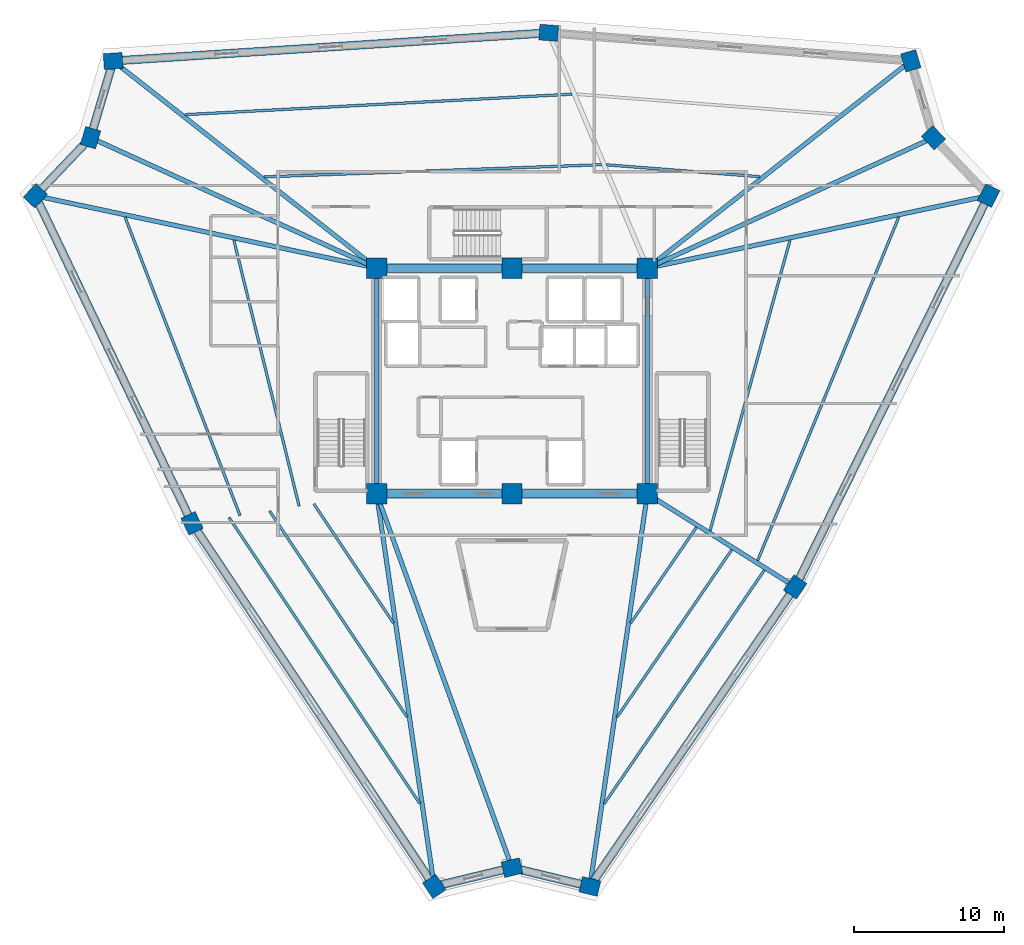
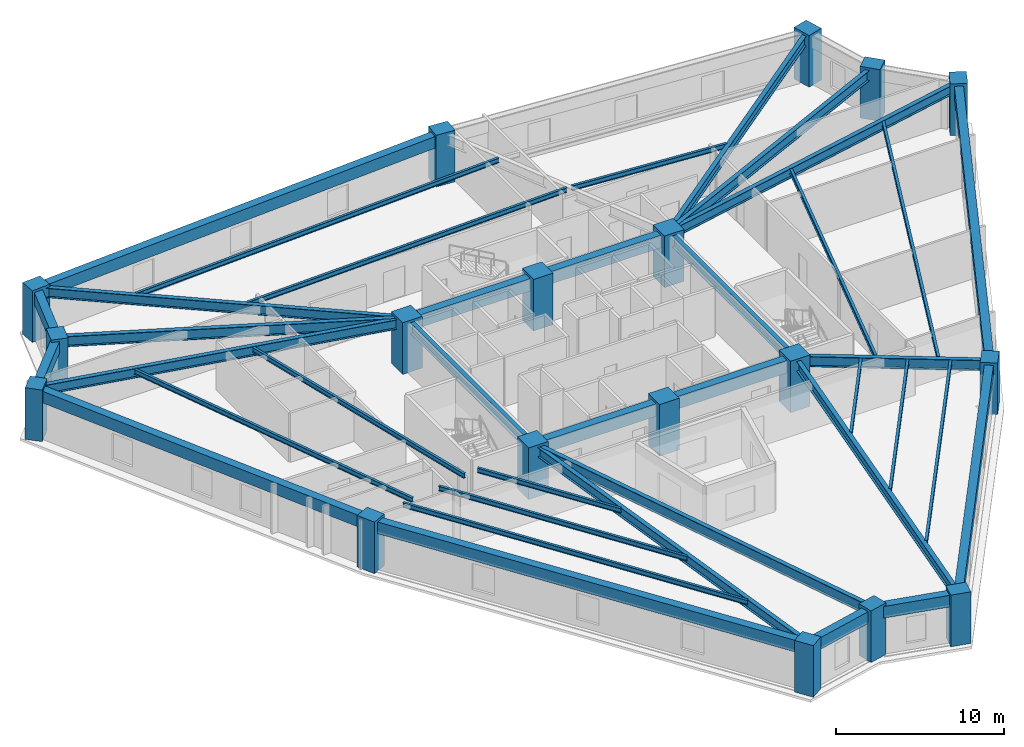
# One storey, part 1 of 9: 38 beams, 18 columns.
"""IFC4 building model written with IfcOpenShell, lengths in metres."""

from ifc_helpers import new_model, si_unit, direction, frame, origin, origin_2d, place, context, subcontext, project, spatial, rectangle, i_section, extrude, source, transform, mapped, material, material_profile, profile_set, type_object, element, save


model = new_model("IFC4")

# Units and contexts
model_context = context("Model", 3, precision=1e-05, world=origin(), true_north=direction((0.0, 1.0)))
body_context = subcontext(model_context, "Body", "Model", "MODEL_VIEW")
ifc_project = project(units=[si_unit("LENGTHUNIT", "METRE"), si_unit("AREAUNIT", "SQUARE_METRE"), si_unit("VOLUMEUNIT", "CUBIC_METRE"), si_unit("PLANEANGLEUNIT", "RADIAN"), si_unit("MASSUNIT", "GRAM", prefix="KILO")], contexts=[model_context])

# Site, building, storey
site_placement = place(None, origin())
site = spatial("IfcSite", under=ifc_project, at=site_placement, CompositionType="ELEMENT")
building_placement = place(site_placement, origin())
building = spatial("IfcBuilding", under=site, at=building_placement, Name="Liaohun Quay Tower", CompositionType="ELEMENT")
storey_placement = place(building_placement, frame((0.0, 0.0, 258.75)))
storey = spatial("IfcBuildingStorey", under=building, at=storey_placement, Name="L67", CompositionType="ELEMENT", Elevation=258.75)

# Columns
ifc_material_1 = material(Name="Concrete C55", Category="concrete")
ifc_material_profile_1 = material_profile(ifc_material_1, rectangle(XDim=1.35009765625, YDim=1.35009765625, at=origin_2d()), Name="RC1350x1350")
ifc_profile_set_1 = profile_set([ifc_material_profile_1], Name="Concrete C55")
column_type_1 = type_object("IfcColumnType", Name="COL-CC-Z3", PredefinedType="COLUMN", material=ifc_profile_set_1)
shared_shape_1 = source(origin(), body_context, "Body", "SweptSolid", [
    extrude(rectangle(XDim=1.35009765625, YDim=1.35009765625, at=origin_2d()), origin(), (0.0, 0.0, 1.0), 3.75),
])
for number, where, z_axis, x_axis, name in (
    (1, (51.0, 46.5, 0.0), (0.0, 0.0, 1.0), (1.0, 0.0, 0.0), "L67 Core Column CC1"),
    (2, (60.0, 46.5, 0.0), (0.0, 0.0, 1.0), (1.0, 0.0, 0.0), "L67 Core Column CC2"),
    (3, (69.0, 46.5, 0.0), (0.0, 0.0, 1.0), (1.0, 0.0, 0.0), "L67 Core Column CC3"),
    (4, (69.0, 61.5, 0.0), (0.0, 0.0, 1.0), (1.0, 0.0, 0.0), "L67 Core Column CC4"),
    (5, (60.0, 61.5, 0.0), (0.0, 0.0, 1.0), (1.0, 0.0, 0.0), "L67 Core Column CC5"),
    (6, (51.0, 61.5, 0.0), (0.0, 0.0, 1.0), (1.0, 0.0, 0.0), "L67 Core Column CC6"),
):
    element("IfcColumn", number, at=place(storey_placement, frame(where, z_axis=z_axis, x_axis=x_axis)), inside=storey, type_object=column_type_1, Name=name, PredefinedType="COLUMN", context=body_context, shape_type="MappedRepresentation", body=[
        mapped(shared_shape_1, transform((0.0, 0.0, 0.0), x_axis=(1.0, 0.0, 0.0), y_axis=(0.0, 1.0, 0.0), z_axis=(0.0, 0.0, 1.0), scale=1.0)),
    ])
ifc_material_profile_2 = material_profile(ifc_material_1, rectangle(XDim=1.25, YDim=1.050048828125, at=origin_2d()), Name="RC1250x1050")
ifc_profile_set_2 = profile_set([ifc_material_profile_2], Name="Concrete C55")
column_type_2 = type_object("IfcColumnType", Name="COL-PIER-Z3", PredefinedType="COLUMN", material=ifc_profile_set_2)
shared_shape_2 = source(origin(), body_context, "Body", "SweptSolid", [
    extrude(rectangle(XDim=1.25, YDim=1.050048828125, at=origin_2d()), origin(), (0.0, 0.0, 1.0), 3.75),
])
for number, where, z_axis, x_axis, name in (
    (7, (54.8310546875, 20.40087890625, 0.0), (0.0, 0.0, 1.0), (-0.554844427448, 0.83195412213, 0.0), "L67 Perimeter Pier PC01"),
    (8, (38.73388671875, 44.5380859375, 0.0), (0.0, 0.0, 1.0), (-0.431613491188, 0.902058642343, 0.0), "L67 Perimeter Pier PC02"),
    (9, (28.31201171875, 66.31689453125, 0.0), (0.0, 0.0, 1.0), (0.68936671806, 0.724412539946, 0.0), "L67 Perimeter Pier PC03"),
    (10, (31.98291015625, 70.176025390625, 0.0), (0.0, 0.0, 1.0), (0.282676303383, 0.959215360337, 0.0), "L67 Perimeter Pier PC04"),
    (11, (33.486083984375, 75.27587890625, 0.0), (0.0, 0.0, 1.0), (0.997915618272, 0.064532308253, 0.0), "L67 Perimeter Pier PC05"),
    (12, (62.43896484375, 77.14794921875, 0.0), (0.0, 0.0, 1.0), (-0.997012445566, 0.077241073187, 0.0), "L67 Perimeter Pier PC06"),
    (13, (86.510986328125, 75.283935546875, 0.0), (0.0, 0.0, 1.0), (-0.282676303383, 0.959215360337, 0.0), "L67 Perimeter Pier PC07"),
    (14, (88.01708984375, 70.176025390625, 0.0), (0.0, 0.0, 1.0), (-0.68936671806, 0.724412539946, 0.0), "L67 Perimeter Pier PC08"),
    (15, (91.68310546875, 66.322998046875, 0.0), (0.0, 0.0, 1.0), (0.443071190824, 0.896486430383, 0.0), "L67 Perimeter Pier PC09"),
    (16, (78.827880859375, 40.31396484375, 0.0), (0.0, 0.0, 1.0), (0.565398954378, 0.824817569156, 0.0), "L67 Perimeter Pier PC10"),
    (17, (65.177001953125, 20.39892578125, 0.0), (0.0, 0.0, 1.0), (-0.972043021443, 0.234802820391, 0.0), "L67 Perimeter Pier PC11"),
    (18, (60.0, 21.64892578125, 0.0), (0.0, 0.0, 1.0), (0.972043021443, 0.234802820391, 0.0), "L67 Perimeter Pier PC12"),
):
    element("IfcColumn", number, at=place(storey_placement, frame(where, z_axis=z_axis, x_axis=x_axis)), inside=storey, type_object=column_type_2, Name=name, PredefinedType="COLUMN", context=body_context, shape_type="MappedRepresentation", body=[
        mapped(shared_shape_2, transform((0.0, 0.0, 0.0), x_axis=(1.0, 0.0, 0.0), y_axis=(0.0, 1.0, 0.0), z_axis=(0.0, 0.0, 1.0), scale=1.0)),
    ])

# Beams
ifc_material_2 = material(Name="Steel Q355D", Category="steel")
ifc_material_profile_3 = material_profile(ifc_material_2, i_section(OverallWidth=0.300048828125, OverallDepth=0.800048828125, WebThickness=0.013916015625, FlangeThickness=0.02587890625, at=origin_2d()), Name="HN800x300x14x26")
ifc_profile_set_3 = profile_set([ifc_material_profile_3], Name="Steel Q355D")
beam_type_1 = type_object("IfcBeamType", Name="BM-RAD-M1", PredefinedType="BEAM", material=ifc_profile_set_3)
shared_shape_3 = source(origin(), body_context, "Body", "SweptSolid", [
    extrude(i_section(OverallWidth=0.300048828125, OverallDepth=0.800048828125, WebThickness=0.013916015625, FlangeThickness=0.02587890625, at=origin_2d()), origin(), (0.0, 0.0, 1.0), 15.0),
])
for number, where, z_axis, x_axis, name in (
    (19, (69.0, 46.5, 3.169921875), (0.0, 1.0, 0.0), (-1.0, 0.0, 0.0), "L67 Core Coupling/Ring Beam CC3-CC4"),
    (20, (51.0, 61.5, 3.169921875), (0.0, -1.0, 0.0), (1.0, 0.0, 0.0), "L67 Core Coupling/Ring Beam CC6-CC1"),
):
    element("IfcBeam", number, at=place(storey_placement, frame(where, z_axis=z_axis, x_axis=x_axis)), inside=storey, type_object=beam_type_1, Name=name, PredefinedType="BEAM", context=body_context, shape_type="MappedRepresentation", body=[
        mapped(shared_shape_3, transform((0.0, 0.0, 0.0), x_axis=(1.0, 0.0, 0.0), y_axis=(0.0, 1.0, 0.0), z_axis=(0.0, 0.0, 1.0), scale=1.0)),
    ])
ifc_material_profile_4 = material_profile(ifc_material_1, rectangle(XDim=0.550048828125, YDim=0.89990234375, at=origin_2d()), Name="RC550x900")
ifc_profile_set_4 = profile_set([ifc_material_profile_4], Name="Concrete C55")
beam_type_2 = type_object("IfcBeamType", Name="BM-CPL-2", PredefinedType="LINTEL", material=ifc_profile_set_4)
shared_shape_4 = source(origin(), body_context, "Body", "SweptSolid", [
    extrude(rectangle(XDim=0.550048828125, YDim=0.89990234375, at=origin_2d()), origin(), (0.0, 0.0, 1.0), 9.0),
])
for number, where, z_axis, x_axis, name in (
    (21, (51.0, 46.5, 3.1201171875), (1.0, 0.0, 0.0), (0.0, 1.0, 0.0), "L67 Core Coupling/Ring Beam CC1-CC2"),
    (22, (60.0, 46.5, 3.1201171875), (1.0, 0.0, 0.0), (0.0, 1.0, 0.0), "L67 Core Coupling/Ring Beam CC2-CC3"),
    (23, (69.0, 61.5, 3.1201171875), (-1.0, 0.0, 0.0), (0.0, -1.0, 0.0), "L67 Core Coupling/Ring Beam CC4-CC5"),
    (24, (60.0, 61.5, 3.1201171875), (-1.0, 0.0, 0.0), (0.0, -1.0, 0.0), "L67 Core Coupling/Ring Beam CC5-CC6"),
):
    element("IfcBeam", number, at=place(storey_placement, frame(where, z_axis=z_axis, x_axis=x_axis)), inside=storey, type_object=beam_type_2, Name=name, PredefinedType="LINTEL", context=body_context, shape_type="MappedRepresentation", body=[
        mapped(shared_shape_4, transform((0.0, 0.0, 0.0), x_axis=(1.0, 0.0, 0.0), y_axis=(0.0, 1.0, 0.0), z_axis=(0.0, 0.0, 1.0), scale=1.0)),
    ])
ifc_material_profile_5 = material_profile(ifc_material_2, i_section(OverallWidth=0.300048828125, OverallDepth=0.699951171875, WebThickness=0.012939453125, FlangeThickness=0.02392578125, at=origin_2d()), Name="HN700x300x13x24")
ifc_profile_set_5 = profile_set([ifc_material_profile_5], Name="Steel Q355D")
beam_type_3 = type_object("IfcBeamType", Name="BM-RAD-U1", PredefinedType="BEAM", material=ifc_profile_set_5)
shared_shape_5 = source(origin(), body_context, "Body", "SweptSolid", [
    extrude(i_section(OverallWidth=0.300048828125, OverallDepth=0.699951171875, WebThickness=0.012939453125, FlangeThickness=0.02392578125, at=origin_2d()), origin(), (0.0, 0.0, 1.0), 26.37890625),
])
beam_1_placement = place(storey_placement, frame((51.0, 46.5, 3.219970703125), z_axis=(0.145232332526, -0.98939757913, 0.0), x_axis=(0.98939757913, 0.145232332526, 0.0)))
element("IfcBeam", 25, at=beam_1_placement, inside=storey, type_object=beam_type_3, Name="L67 Radial Primary Girder CC1-PC01", PredefinedType="BEAM", context=body_context, shape_type="MappedRepresentation", body=[
    mapped(shared_shape_5, transform((0.0, 0.0, 0.0), x_axis=(1.0, 0.0, 0.0), y_axis=(0.0, 1.0, 0.0), z_axis=(0.0, 0.0, 1.0), scale=1.0)),
])
shared_shape_6 = source(origin(), body_context, "Body", "SweptSolid", [
    extrude(i_section(OverallWidth=0.300048828125, OverallDepth=0.699951171875, WebThickness=0.012939453125, FlangeThickness=0.02392578125, at=origin_2d()), origin(), (0.0, 0.0, 1.0), 23.193603515625),
])
beam_2_placement = place(storey_placement, frame((51.0, 61.5, 3.219970703125), z_axis=(-0.978196555276, 0.20768124433, 0.0), x_axis=(-0.20768124433, -0.978196555276, 0.0)))
element("IfcBeam", 26, at=beam_2_placement, inside=storey, type_object=beam_type_3, Name="L67 Radial Primary Girder CC6-PC03", PredefinedType="BEAM", context=body_context, shape_type="MappedRepresentation", body=[
    mapped(shared_shape_6, transform((0.0, 0.0, 0.0), x_axis=(1.0, 0.0, 0.0), y_axis=(0.0, 1.0, 0.0), z_axis=(0.0, 0.0, 1.0), scale=1.0)),
])
ifc_material_profile_6 = material_profile(ifc_material_2, i_section(OverallWidth=0.300048828125, OverallDepth=0.75, WebThickness=0.013916015625, FlangeThickness=0.02587890625, at=origin_2d()), Name="HN750x300x14x26")
ifc_profile_set_6 = profile_set([ifc_material_profile_6], Name="Steel Q355D")
beam_type_4 = type_object("IfcBeamType", Name="BM-RAD-M2", PredefinedType="BEAM", material=ifc_profile_set_6)
shared_shape_7 = source(origin(), body_context, "Body", "SweptSolid", [
    extrude(i_section(OverallWidth=0.300048828125, OverallDepth=0.75, WebThickness=0.013916015625, FlangeThickness=0.02587890625, at=origin_2d()), origin(), (0.0, 0.0, 1.0), 20.902587890625),
])
for number, where, z_axis, x_axis, name in (
    (27, (51.0, 61.5, 3.195068359375), (-0.909790806226, 0.415067089646, 0.0), (-0.415067089646, -0.909790806226, 0.0), "L67 Radial Primary Girder CC6-PC04"),
    (28, (69.0, 61.5, 3.195068359375), (0.909790806226, 0.415067089646, 0.0), (-0.415067089646, 0.909790806226, 0.0), "L67 Radial Primary Girder CC4-PC08"),
):
    element("IfcBeam", number, at=place(storey_placement, frame(where, z_axis=z_axis, x_axis=x_axis)), inside=storey, type_object=beam_type_4, Name=name, PredefinedType="BEAM", context=body_context, shape_type="MappedRepresentation", body=[
        mapped(shared_shape_7, transform((0.0, 0.0, 0.0), x_axis=(1.0, 0.0, 0.0), y_axis=(0.0, 1.0, 0.0), z_axis=(0.0, 0.0, 1.0), scale=1.0)),
    ])
shared_shape_8 = source(origin(), body_context, "Body", "SweptSolid", [
    extrude(i_section(OverallWidth=0.300048828125, OverallDepth=0.699951171875, WebThickness=0.012939453125, FlangeThickness=0.02392578125, at=origin_2d()), origin(), (0.0, 0.0, 1.0), 22.282470703125),
])
beam_3_placement = place(storey_placement, frame((51.0, 61.5, 3.219970703125), z_axis=(-0.785992400738, 0.61823615713, 0.0), x_axis=(-0.61823615713, -0.785992400738, 0.0)))
element("IfcBeam", 29, at=beam_3_placement, inside=storey, type_object=beam_type_3, Name="L67 Radial Primary Girder CC6-PC05", PredefinedType="BEAM", context=body_context, shape_type="MappedRepresentation", body=[
    mapped(shared_shape_8, transform((0.0, 0.0, 0.0), x_axis=(1.0, 0.0, 0.0), y_axis=(0.0, 1.0, 0.0), z_axis=(0.0, 0.0, 1.0), scale=1.0)),
])
shared_shape_9 = source(origin(), body_context, "Body", "SweptSolid", [
    extrude(i_section(OverallWidth=0.300048828125, OverallDepth=0.699951171875, WebThickness=0.012939453125, FlangeThickness=0.02392578125, at=origin_2d()), origin(), (0.0, 0.0, 1.0), 22.28515625),
])
beam_4_placement = place(storey_placement, frame((69.0, 61.5, 3.219970703125), z_axis=(0.785766426077, 0.618523341233, 0.0), x_axis=(-0.618523341233, 0.785766426077, 0.0)))
element("IfcBeam", 30, at=beam_4_placement, inside=storey, type_object=beam_type_3, Name="L67 Radial Primary Girder CC4-PC07", PredefinedType="BEAM", context=body_context, shape_type="MappedRepresentation", body=[
    mapped(shared_shape_9, transform((0.0, 0.0, 0.0), x_axis=(1.0, 0.0, 0.0), y_axis=(0.0, 1.0, 0.0), z_axis=(0.0, 0.0, 1.0), scale=1.0)),
])
shared_shape_10 = source(origin(), body_context, "Body", "SweptSolid", [
    extrude(i_section(OverallWidth=0.300048828125, OverallDepth=0.699951171875, WebThickness=0.012939453125, FlangeThickness=0.02392578125, at=origin_2d()), origin(), (0.0, 0.0, 1.0), 23.190185546875),
])
beam_5_placement = place(storey_placement, frame((69.0, 61.5, 3.219970703125), z_axis=(0.97813396069, 0.207975851829, 0.0), x_axis=(-0.207975851829, 0.97813396069, 0.0)))
element("IfcBeam", 31, at=beam_5_placement, inside=storey, type_object=beam_type_3, Name="L67 Radial Primary Girder CC4-PC09", PredefinedType="BEAM", context=body_context, shape_type="MappedRepresentation", body=[
    mapped(shared_shape_10, transform((0.0, 0.0, 0.0), x_axis=(1.0, 0.0, 0.0), y_axis=(0.0, 1.0, 0.0), z_axis=(0.0, 0.0, 1.0), scale=1.0)),
])
shared_shape_11 = source(origin(), body_context, "Body", "SweptSolid", [
    extrude(i_section(OverallWidth=0.300048828125, OverallDepth=0.75, WebThickness=0.013916015625, FlangeThickness=0.02587890625, at=origin_2d()), origin(), (0.0, 0.0, 1.0), 11.61279296875),
])
beam_6_placement = place(storey_placement, frame((69.0, 46.5, 3.195068359375), z_axis=(0.84630620825, -0.532696725988, 0.0), x_axis=(0.532696725988, 0.84630620825, 0.0)))
element("IfcBeam", 32, at=beam_6_placement, inside=storey, type_object=beam_type_4, Name="L67 Radial Primary Girder CC3-PC10", PredefinedType="BEAM", context=body_context, shape_type="MappedRepresentation", body=[
    mapped(shared_shape_11, transform((0.0, 0.0, 0.0), x_axis=(1.0, 0.0, 0.0), y_axis=(0.0, 1.0, 0.0), z_axis=(0.0, 0.0, 1.0), scale=1.0)),
])
shared_shape_12 = source(origin(), body_context, "Body", "SweptSolid", [
    extrude(i_section(OverallWidth=0.300048828125, OverallDepth=0.699951171875, WebThickness=0.012939453125, FlangeThickness=0.02392578125, at=origin_2d()), origin(), (0.0, 0.0, 1.0), 26.379638671875),
])
beam_7_placement = place(storey_placement, frame((69.0, 46.5, 3.219970703125), z_axis=(-0.144922716205, -0.989442977805, 0.0), x_axis=(0.989442977805, -0.144922716205, 0.0)))
element("IfcBeam", 33, at=beam_7_placement, inside=storey, type_object=beam_type_3, Name="L67 Radial Primary Girder CC3-PC11", PredefinedType="BEAM", context=body_context, shape_type="MappedRepresentation", body=[
    mapped(shared_shape_12, transform((0.0, 0.0, 0.0), x_axis=(1.0, 0.0, 0.0), y_axis=(0.0, 1.0, 0.0), z_axis=(0.0, 0.0, 1.0), scale=1.0)),
])
shared_shape_13 = source(origin(), body_context, "Body", "SweptSolid", [
    extrude(i_section(OverallWidth=0.300048828125, OverallDepth=0.75, WebThickness=0.013916015625, FlangeThickness=0.02587890625, at=origin_2d()), origin(), (0.0, 0.0, 1.0), 26.4306640625),
])
beam_8_placement = place(storey_placement, frame((51.0, 46.5, 3.195068359375), z_axis=(0.34051458083, -0.940239235643, 0.0), x_axis=(0.940239235643, 0.34051458083, 0.0)))
element("IfcBeam", 34, at=beam_8_placement, inside=storey, type_object=beam_type_4, Name="L67 Radial Primary Girder CC1-PC12", PredefinedType="BEAM", context=body_context, shape_type="MappedRepresentation", body=[
    mapped(shared_shape_13, transform((0.0, 0.0, 0.0), x_axis=(1.0, 0.0, 0.0), y_axis=(0.0, 1.0, 0.0), z_axis=(0.0, 0.0, 1.0), scale=1.0)),
])
ifc_material_profile_7 = material_profile(ifc_material_2, i_section(OverallWidth=0.175048828125, OverallDepth=0.35009765625, WebThickness=0.007080078125, FlangeThickness=0.010986328125, at=origin_2d()), Name="HN350x175x7x11")
ifc_profile_set_7 = profile_set([ifc_material_profile_7], Name="Steel Q355D")
beam_type_5 = type_object("IfcBeamType", Name="BM-SEC-J3", PredefinedType="JOIST", material=ifc_profile_set_7)
shared_shape_14 = source(origin(), body_context, "Body", "SweptSolid", [
    extrude(i_section(OverallWidth=0.175048828125, OverallDepth=0.35009765625, WebThickness=0.007080078125, FlangeThickness=0.010986328125, at=origin_2d()), origin(), (0.0, 0.0, 1.0), 9.513427734375),
])
beam_9_placement = place(storey_placement, frame((52.10791015625, 37.91796875, 3.39501953125), z_axis=(-0.554783104757, 0.831995016016, 0.0), x_axis=(-0.831995016016, -0.554783104757, 0.0)))
element("IfcBeam", 35, at=beam_9_placement, inside=storey, type_object=beam_type_5, Name="L67 Wing Secondary Floor Joist SJ-01", PredefinedType="JOIST", context=body_context, shape_type="MappedRepresentation", body=[
    mapped(shared_shape_14, transform((0.0, 0.0, 0.0), x_axis=(1.0, 0.0, 0.0), y_axis=(0.0, 1.0, 0.0), z_axis=(0.0, 0.0, 1.0), scale=1.0)),
])
shared_shape_15 = source(origin(), body_context, "Body", "SweptSolid", [
    extrude(i_section(OverallWidth=0.175048828125, OverallDepth=0.35009765625, WebThickness=0.007080078125, FlangeThickness=0.010986328125, at=origin_2d()), origin(), (0.0, 0.0, 1.0), 16.476806640625),
])
beam_10_placement = place(storey_placement, frame((53.028076171875, 31.654052734375, 3.39501953125), z_axis=(-0.554843800547, 0.831954540221, 0.0), x_axis=(-0.831954540221, -0.554843800547, 0.0)))
element("IfcBeam", 36, at=beam_10_placement, inside=storey, type_object=beam_type_5, Name="L67 Wing Secondary Floor Joist SJ-02", PredefinedType="JOIST", context=body_context, shape_type="MappedRepresentation", body=[
    mapped(shared_shape_15, transform((0.0, 0.0, 0.0), x_axis=(1.0, 0.0, 0.0), y_axis=(0.0, 1.0, 0.0), z_axis=(0.0, 0.0, 1.0), scale=1.0)),
])
shared_shape_16 = source(origin(), body_context, "Body", "SweptSolid", [
    extrude(i_section(OverallWidth=0.175048828125, OverallDepth=0.35009765625, WebThickness=0.007080078125, FlangeThickness=0.010986328125, at=origin_2d()), origin(), (0.0, 0.0, 1.0), 22.859130859375),
])
beam_11_placement = place(storey_placement, frame((53.8701171875, 25.912109375, 3.39501953125), z_axis=(-0.554838210092, 0.831958268558, 0.0), x_axis=(-0.831958268558, -0.554838210092, 0.0)))
element("IfcBeam", 37, at=beam_11_placement, inside=storey, type_object=beam_type_5, Name="L67 Wing Secondary Floor Joist SJ-03", PredefinedType="JOIST", context=body_context, shape_type="MappedRepresentation", body=[
    mapped(shared_shape_16, transform((0.0, 0.0, 0.0), x_axis=(1.0, 0.0, 0.0), y_axis=(0.0, 1.0, 0.0), z_axis=(0.0, 0.0, 1.0), scale=1.0)),
])
shared_shape_17 = source(origin(), body_context, "Body", "SweptSolid", [
    extrude(i_section(OverallWidth=0.175048828125, OverallDepth=0.35009765625, WebThickness=0.007080078125, FlangeThickness=0.010986328125, at=origin_2d()), origin(), (0.0, 0.0, 1.0), 18.208984375),
])
beam_12_placement = place(storey_placement, frame((45.847900390625, 45.676025390625, 3.39501953125), z_axis=(-0.238173326631, 0.971222665758, 0.0), x_axis=(-0.971222665758, -0.238173326631, 0.0)))
element("IfcBeam", 38, at=beam_12_placement, inside=storey, type_object=beam_type_5, Name="L67 Wing Secondary Floor Joist SJ-04", PredefinedType="JOIST", context=body_context, shape_type="MappedRepresentation", body=[
    mapped(shared_shape_17, transform((0.0, 0.0, 0.0), x_axis=(1.0, 0.0, 0.0), y_axis=(0.0, 1.0, 0.0), z_axis=(0.0, 0.0, 1.0), scale=1.0)),
])
shared_shape_18 = source(origin(), body_context, "Body", "SweptSolid", [
    extrude(i_section(OverallWidth=0.175048828125, OverallDepth=0.35009765625, WebThickness=0.007080078125, FlangeThickness=0.010986328125, at=origin_2d()), origin(), (0.0, 0.0, 1.0), 21.272216796875),
])
beam_13_placement = place(storey_placement, frame((41.923095703125, 45.048095703125, 3.39501953125), z_axis=(-0.359537361144, 0.933130690708, 0.0), x_axis=(-0.933130690708, -0.359537361144, 0.0)))
element("IfcBeam", 39, at=beam_13_placement, inside=storey, type_object=beam_type_5, Name="L67 Wing Secondary Floor Joist SJ-05", PredefinedType="JOIST", context=body_context, shape_type="MappedRepresentation", body=[
    mapped(shared_shape_18, transform((0.0, 0.0, 0.0), x_axis=(1.0, 0.0, 0.0), y_axis=(0.0, 1.0, 0.0), z_axis=(0.0, 0.0, 1.0), scale=1.0)),
])
shared_shape_19 = source(origin(), body_context, "Body", "SweptSolid", [
    extrude(i_section(OverallWidth=0.175048828125, OverallDepth=0.35009765625, WebThickness=0.007080078125, FlangeThickness=0.010986328125, at=origin_2d()), origin(), (0.0, 0.0, 1.0), 22.441650390625),
])
beam_14_placement = place(storey_placement, frame((43.52587890625, 67.570068359375, 3.39501953125), z_axis=(0.999350278673, 0.036041927186, 0.0), x_axis=(-0.036041927186, 0.999350278673, 0.0)))
element("IfcBeam", 40, at=beam_14_placement, inside=storey, type_object=beam_type_5, Name="L67 Wing Secondary Floor Joist SJ-06", PredefinedType="JOIST", context=body_context, shape_type="MappedRepresentation", body=[
    mapped(shared_shape_19, transform((0.0, 0.0, 0.0), x_axis=(1.0, 0.0, 0.0), y_axis=(0.0, 1.0, 0.0), z_axis=(0.0, 0.0, 1.0), scale=1.0)),
])
shared_shape_20 = source(origin(), body_context, "Body", "SweptSolid", [
    extrude(i_section(OverallWidth=0.175048828125, OverallDepth=0.35009765625, WebThickness=0.007080078125, FlangeThickness=0.010986328125, at=origin_2d()), origin(), (0.0, 0.0, 1.0), 25.755126953125),
])
beam_15_placement = place(storey_placement, frame((38.26708984375, 71.7060546875, 3.39501953125), z_axis=(0.998594584186, 0.052998645595, 0.0), x_axis=(-0.052998645595, 0.998594584186, 0.0)))
element("IfcBeam", 41, at=beam_15_placement, inside=storey, type_object=beam_type_5, Name="L67 Wing Secondary Floor Joist SJ-07", PredefinedType="JOIST", context=body_context, shape_type="MappedRepresentation", body=[
    mapped(shared_shape_20, transform((0.0, 0.0, 0.0), x_axis=(1.0, 0.0, 0.0), y_axis=(0.0, 1.0, 0.0), z_axis=(0.0, 0.0, 1.0), scale=1.0)),
])
shared_shape_21 = source(origin(), body_context, "Body", "SweptSolid", [
    extrude(i_section(OverallWidth=0.175048828125, OverallDepth=0.35009765625, WebThickness=0.007080078125, FlangeThickness=0.010986328125, at=origin_2d()), origin(), (0.0, 0.0, 1.0), 10.2333984375),
])
beam_16_placement = place(storey_placement, frame((66.281005859375, 68.3720703125, 3.39501953125), z_axis=(0.997015484262, -0.077201840278, 0.0), x_axis=(0.077201840278, 0.997015484262, 0.0)))
element("IfcBeam", 42, at=beam_16_placement, inside=storey, type_object=beam_type_5, Name="L67 Wing Secondary Floor Joist SJ-08", PredefinedType="JOIST", context=body_context, shape_type="MappedRepresentation", body=[
    mapped(shared_shape_21, transform((0.0, 0.0, 0.0), x_axis=(1.0, 0.0, 0.0), y_axis=(0.0, 1.0, 0.0), z_axis=(0.0, 0.0, 1.0), scale=1.0)),
])
shared_shape_22 = source(origin(), body_context, "Body", "SweptSolid", [
    extrude(i_section(OverallWidth=0.175048828125, OverallDepth=0.35009765625, WebThickness=0.007080078125, FlangeThickness=0.010986328125, at=origin_2d()), origin(), (0.0, 0.0, 1.0), 20.027587890625),
])
beam_17_placement = place(storey_placement, frame((78.48193359375, 63.363037109375, 3.39501953125), z_axis=(-0.265282845028, -0.964170634345, 0.0), x_axis=(0.964170634345, -0.265282845028, 0.0)))
element("IfcBeam", 43, at=beam_17_placement, inside=storey, type_object=beam_type_5, Name="L67 Wing Secondary Floor Joist SJ-10", PredefinedType="JOIST", context=body_context, shape_type="MappedRepresentation", body=[
    mapped(shared_shape_22, transform((0.0, 0.0, 0.0), x_axis=(1.0, 0.0, 0.0), y_axis=(0.0, 1.0, 0.0), z_axis=(0.0, 0.0, 1.0), scale=1.0)),
])
shared_shape_23 = source(origin(), body_context, "Body", "SweptSolid", [
    extrude(i_section(OverallWidth=0.175048828125, OverallDepth=0.35009765625, WebThickness=0.007080078125, FlangeThickness=0.010986328125, at=origin_2d()), origin(), (0.0, 0.0, 1.0), 24.691162109375),
])
beam_18_placement = place(storey_placement, frame((85.716064453125, 64.90087890625, 3.39501953125), z_axis=(-0.380097728752, -0.924946331739, 0.0), x_axis=(0.924946331739, -0.380097728752, 0.0)))
element("IfcBeam", 44, at=beam_18_placement, inside=storey, type_object=beam_type_5, Name="L67 Wing Secondary Floor Joist SJ-11", PredefinedType="JOIST", context=body_context, shape_type="MappedRepresentation", body=[
    mapped(shared_shape_23, transform((0.0, 0.0, 0.0), x_axis=(1.0, 0.0, 0.0), y_axis=(0.0, 1.0, 0.0), z_axis=(0.0, 0.0, 1.0), scale=1.0)),
])
shared_shape_24 = source(origin(), body_context, "Body", "SweptSolid", [
    extrude(i_section(OverallWidth=0.175048828125, OverallDepth=0.35009765625, WebThickness=0.007080078125, FlangeThickness=0.010986328125, at=origin_2d()), origin(), (0.0, 0.0, 1.0), 7.71826171875),
])
beam_19_placement = place(storey_placement, frame((72.257080078125, 44.27294921875, 3.39501953125), z_axis=(-0.565420774072, -0.824802611688, 0.0), x_axis=(0.824802611688, -0.565420774072, 0.0)))
element("IfcBeam", 45, at=beam_19_placement, inside=storey, type_object=beam_type_5, Name="L67 Wing Secondary Floor Joist SJ-12", PredefinedType="JOIST", context=body_context, shape_type="MappedRepresentation", body=[
    mapped(shared_shape_24, transform((0.0, 0.0, 0.0), x_axis=(1.0, 0.0, 0.0), y_axis=(0.0, 1.0, 0.0), z_axis=(0.0, 0.0, 1.0), scale=1.0)),
])
shared_shape_25 = source(origin(), body_context, "Body", "SweptSolid", [
    extrude(i_section(OverallWidth=0.175048828125, OverallDepth=0.35009765625, WebThickness=0.007080078125, FlangeThickness=0.010986328125, at=origin_2d()), origin(), (0.0, 0.0, 1.0), 13.51220703125),
])
beam_20_placement = place(storey_placement, frame((74.614990234375, 42.7880859375, 3.39501953125), z_axis=(-0.565407209451, -0.824811910378, 0.0), x_axis=(0.824811910378, -0.565407209451, 0.0)))
element("IfcBeam", 46, at=beam_20_placement, inside=storey, type_object=beam_type_5, Name="L67 Wing Secondary Floor Joist SJ-13", PredefinedType="JOIST", context=body_context, shape_type="MappedRepresentation", body=[
    mapped(shared_shape_25, transform((0.0, 0.0, 0.0), x_axis=(1.0, 0.0, 0.0), y_axis=(0.0, 1.0, 0.0), z_axis=(0.0, 0.0, 1.0), scale=1.0)),
])
shared_shape_26 = source(origin(), body_context, "Body", "SweptSolid", [
    extrude(i_section(OverallWidth=0.175048828125, OverallDepth=0.35009765625, WebThickness=0.007080078125, FlangeThickness=0.010986328125, at=origin_2d()), origin(), (0.0, 0.0, 1.0), 18.8251953125),
])
beam_21_placement = place(storey_placement, frame((76.778076171875, 41.427001953125, 3.39501953125), z_axis=(-0.565415943993, -0.824805922795, 0.0), x_axis=(0.824805922795, -0.565415943993, 0.0)))
element("IfcBeam", 47, at=beam_21_placement, inside=storey, type_object=beam_type_5, Name="L67 Wing Secondary Floor Joist SJ-14", PredefinedType="JOIST", context=body_context, shape_type="MappedRepresentation", body=[
    mapped(shared_shape_26, transform((0.0, 0.0, 0.0), x_axis=(1.0, 0.0, 0.0), y_axis=(0.0, 1.0, 0.0), z_axis=(0.0, 0.0, 1.0), scale=1.0)),
])
ifc_material_3 = material(Name="Precast concrete C50", Category="concrete")
ifc_material_profile_8 = material_profile(ifc_material_3, rectangle(XDim=0.550048828125, YDim=0.85009765625, at=origin_2d()), Name="RC550x850")
ifc_profile_set_8 = profile_set([ifc_material_profile_8], Name="Precast concrete C50")
beam_type_6 = type_object("IfcBeamType", Name="BM-SPD-Z3", PredefinedType="SPANDREL", material=ifc_profile_set_8)
shared_shape_27 = source(origin(), body_context, "Body", "SweptSolid", [
    extrude(rectangle(XDim=0.550048828125, YDim=0.85009765625, at=origin_2d()), origin(), (0.0, 0.0, 1.0), 29.012451171875),
])
for number, where, z_axis, x_axis, name in (
    (48, (54.8310546875, 20.40087890625, 3.14501953125), (-0.554836123809, 0.83195965991, 0.0), (-0.83195965991, -0.554836123809, 0.0), "L67 Precast Spandrel Beam PC01-PC02"),
    (49, (91.68310546875, 66.322998046875, 3.14501953125), (-0.443092236936, -0.89647602844, 0.0), (0.89647602844, -0.443092236936, 0.0), "L67 Precast Spandrel Beam PC09-PC10"),
):
    element("IfcBeam", number, at=place(storey_placement, frame(where, z_axis=z_axis, x_axis=x_axis)), inside=storey, type_object=beam_type_6, Name=name, PredefinedType="SPANDREL", context=body_context, shape_type="MappedRepresentation", body=[
        mapped(shared_shape_27, transform((0.0, 0.0, 0.0), x_axis=(1.0, 0.0, 0.0), y_axis=(0.0, 1.0, 0.0), z_axis=(0.0, 0.0, 1.0), scale=1.0)),
    ])
shared_shape_28 = source(origin(), body_context, "Body", "SweptSolid", [
    extrude(rectangle(XDim=0.550048828125, YDim=0.85009765625, at=origin_2d()), origin(), (0.0, 0.0, 1.0), 24.14404296875),
])
beam_22_placement = place(storey_placement, frame((38.73388671875, 44.5380859375, 3.14501953125), z_axis=(-0.431655141553, 0.902038712457, 0.0), x_axis=(-0.902038712457, -0.431655141553, 0.0)))
element("IfcBeam", 50, at=beam_22_placement, inside=storey, type_object=beam_type_6, Name="L67 Precast Spandrel Beam PC02-PC03", PredefinedType="SPANDREL", context=body_context, shape_type="MappedRepresentation", body=[
    mapped(shared_shape_28, transform((0.0, 0.0, 0.0), x_axis=(1.0, 0.0, 0.0), y_axis=(0.0, 1.0, 0.0), z_axis=(0.0, 0.0, 1.0), scale=1.0)),
])
shared_shape_29 = source(origin(), body_context, "Body", "SweptSolid", [
    extrude(rectangle(XDim=0.550048828125, YDim=0.85009765625, at=origin_2d()), origin(), (0.0, 0.0, 1.0), 5.326171875),
])
beam_23_placement = place(storey_placement, frame((28.31201171875, 66.31689453125, 3.14501953125), z_axis=(0.689215526781, 0.724556386794, 0.0), x_axis=(-0.724556386794, 0.689215526781, 0.0)))
element("IfcBeam", 51, at=beam_23_placement, inside=storey, type_object=beam_type_6, Name="L67 Precast Spandrel Beam PC03-PC04", PredefinedType="SPANDREL", context=body_context, shape_type="MappedRepresentation", body=[
    mapped(shared_shape_29, transform((0.0, 0.0, 0.0), x_axis=(1.0, 0.0, 0.0), y_axis=(0.0, 1.0, 0.0), z_axis=(0.0, 0.0, 1.0), scale=1.0)),
])
shared_shape_30 = source(origin(), body_context, "Body", "SweptSolid", [
    extrude(rectangle(XDim=0.550048828125, YDim=0.85009765625, at=origin_2d()), origin(), (0.0, 0.0, 1.0), 5.316650390625),
])
beam_24_placement = place(storey_placement, frame((31.98291015625, 70.176025390625, 3.14501953125), z_axis=(0.282723153755, 0.959201552507, 0.0), x_axis=(-0.959201552507, 0.282723153755, 0.0)))
element("IfcBeam", 52, at=beam_24_placement, inside=storey, type_object=beam_type_6, Name="L67 Precast Spandrel Beam PC04-PC05", PredefinedType="SPANDREL", context=body_context, shape_type="MappedRepresentation", body=[
    mapped(shared_shape_30, transform((0.0, 0.0, 0.0), x_axis=(1.0, 0.0, 0.0), y_axis=(0.0, 1.0, 0.0), z_axis=(0.0, 0.0, 1.0), scale=1.0)),
])
shared_shape_31 = source(origin(), body_context, "Body", "SweptSolid", [
    extrude(rectangle(XDim=0.550048828125, YDim=0.85009765625, at=origin_2d()), origin(), (0.0, 0.0, 1.0), 29.013427734375),
])
beam_25_placement = place(storey_placement, frame((33.486083984375, 75.27587890625, 3.14501953125), z_axis=(0.99791612543, 0.064524465177, 0.0), x_axis=(-0.064524465177, 0.99791612543, 0.0)))
element("IfcBeam", 53, at=beam_25_placement, inside=storey, type_object=beam_type_6, Name="L67 Precast Spandrel Beam PC05-PC06", PredefinedType="SPANDREL", context=body_context, shape_type="MappedRepresentation", body=[
    mapped(shared_shape_31, transform((0.0, 0.0, 0.0), x_axis=(1.0, 0.0, 0.0), y_axis=(0.0, 1.0, 0.0), z_axis=(0.0, 0.0, 1.0), scale=1.0)),
])
shared_shape_32 = source(origin(), body_context, "Body", "SweptSolid", [
    extrude(rectangle(XDim=0.550048828125, YDim=0.85009765625, at=origin_2d()), origin(), (0.0, 0.0, 1.0), 24.14453125),
])
beam_26_placement = place(storey_placement, frame((78.827880859375, 40.31396484375, 3.14501953125), z_axis=(-0.565383325063, -0.824828282578, 0.0), x_axis=(0.824828282578, -0.565383325063, 0.0)))
element("IfcBeam", 54, at=beam_26_placement, inside=storey, type_object=beam_type_6, Name="L67 Precast Spandrel Beam PC10-PC11", PredefinedType="SPANDREL", context=body_context, shape_type="MappedRepresentation", body=[
    mapped(shared_shape_32, transform((0.0, 0.0, 0.0), x_axis=(1.0, 0.0, 0.0), y_axis=(0.0, 1.0, 0.0), z_axis=(0.0, 0.0, 1.0), scale=1.0)),
])
shared_shape_33 = source(origin(), body_context, "Body", "SweptSolid", [
    extrude(rectangle(XDim=0.550048828125, YDim=0.85009765625, at=origin_2d()), origin(), (0.0, 0.0, 1.0), 5.32568359375),
])
beam_27_placement = place(storey_placement, frame((65.177001953125, 20.39892578125, 3.14501953125), z_axis=(-0.972065981499, 0.234707749365, 0.0), x_axis=(-0.234707749365, -0.972065981499, 0.0)))
element("IfcBeam", 55, at=beam_27_placement, inside=storey, type_object=beam_type_6, Name="L67 Precast Spandrel Beam PC11-PC12", PredefinedType="SPANDREL", context=body_context, shape_type="MappedRepresentation", body=[
    mapped(shared_shape_33, transform((0.0, 0.0, 0.0), x_axis=(1.0, 0.0, 0.0), y_axis=(0.0, 1.0, 0.0), z_axis=(0.0, 0.0, 1.0), scale=1.0)),
])
shared_shape_34 = source(origin(), body_context, "Body", "SweptSolid", [
    extrude(rectangle(XDim=0.550048828125, YDim=0.85009765625, at=origin_2d()), origin(), (0.0, 0.0, 1.0), 5.3173828125),
])
beam_28_placement = place(storey_placement, frame((60.0, 21.64892578125, 3.14501953125), z_axis=(-0.972066317412, -0.234706358143, 0.0), x_axis=(0.234706358143, -0.972066317412, 0.0)))
element("IfcBeam", 56, at=beam_28_placement, inside=storey, type_object=beam_type_6, Name="L67 Precast Spandrel Beam PC12-PC01", PredefinedType="SPANDREL", context=body_context, shape_type="MappedRepresentation", body=[
    mapped(shared_shape_34, transform((0.0, 0.0, 0.0), x_axis=(1.0, 0.0, 0.0), y_axis=(0.0, 1.0, 0.0), z_axis=(0.0, 0.0, 1.0), scale=1.0)),
])

save(model, "model.ifc")
